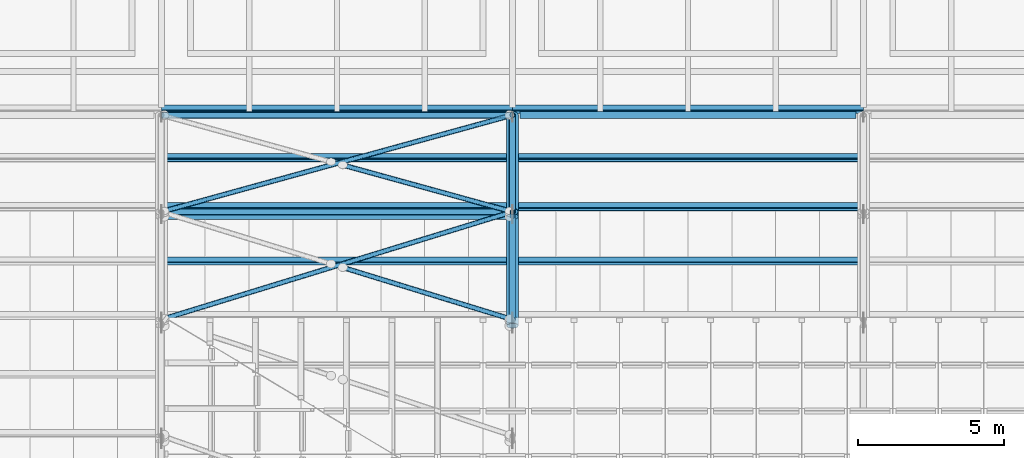
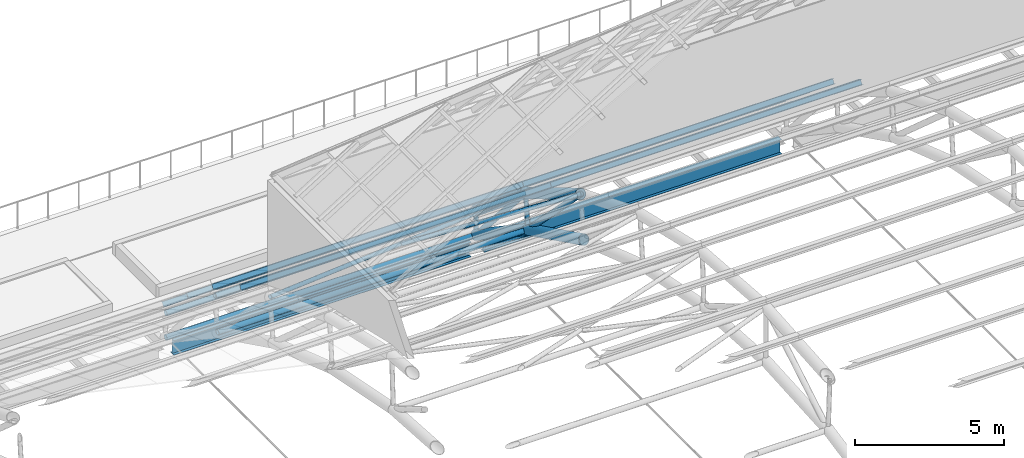
# One storey, part 25 of 110: 24 members, 2 beams.
"""IFC4 building model written with IfcOpenShell, lengths in metres."""

from ifc_helpers import new_model, si_unit, direction, frame, origin, origin_2d, place, context, subcontext, project, spatial, hollow_circle, i_section, extrude, material, material_profile, profile_set, type_object, element, save


model = new_model("IFC4")

# Units and contexts
model_context = context("Model", 3, precision=1e-05, world=origin(), true_north=direction((0.0, 1.0)))
body_context = subcontext(model_context, "Body", "Model", "MODEL_VIEW")
ifc_project = project(units=[si_unit("LENGTHUNIT", "METRE"), si_unit("AREAUNIT", "SQUARE_METRE"), si_unit("VOLUMEUNIT", "CUBIC_METRE"), si_unit("PLANEANGLEUNIT", "RADIAN"), si_unit("MASSUNIT", "GRAM", prefix="KILO")], contexts=[model_context])

# Site, building, storey
site_placement = place(None, origin())
site = spatial("IfcSite", under=ifc_project, at=site_placement, CompositionType="ELEMENT")
building_placement = place(site_placement, origin())
building = spatial("IfcBuilding", under=site, at=building_placement, Name="Windward Yard Aquatics Centre", CompositionType="ELEMENT")
storey_placement = place(building_placement, frame((0.0, 0.0, 22.60009765625)))
storey = spatial("IfcBuildingStorey", under=building, at=storey_placement, Name="L05", CompositionType="ELEMENT", Elevation=22.60009765625)

# Members
ifc_material_1 = material(Name="Steel ASTM A500 Gr C", Category="steel")
ifc_material_profile_1 = material_profile(ifc_material_1, hollow_circle(Radius=0.084228515625, WallThickness=0.010986328125, at=origin_2d()), Name="HSS168.3X11")
ifc_profile_set_1 = profile_set([ifc_material_profile_1], Name="Steel ASTM A500 Gr C")
member_type_1 = type_object("IfcMemberType", Name="H arch post HSS168.3X11", PredefinedType="POST", material=ifc_profile_set_1)
member_1_placement = place(storey_placement, frame((108.0, 76.935302734375, 2.319580078125), z_axis=(0.0, 0.111745510026, 0.993736857015), x_axis=(-1.0, 0.0, 0.0)))
element("IfcMember", 1, at=member_1_placement, inside=storey, type_object=member_type_1, Name="H.AT.5.WP10", PredefinedType="POST", context=body_context, shape_type="SweptSolid", body=[
    extrude(hollow_circle(Radius=0.084228515625, WallThickness=0.010986328125, at=origin_2d()), origin(), (0.0, 0.0, 1.0), 1.406982421875),
])
member_2_placement = place(storey_placement, frame((108.0, 80.39990234375, 0.0), z_axis=(0.0, 0.0, 1.0), x_axis=(1.0, 0.0, 0.0)))
element("IfcMember", 2, at=member_2_placement, inside=storey, type_object=member_type_1, Name="H.AT.5.WP11", PredefinedType="POST", context=body_context, shape_type="SweptSolid", body=[
    extrude(hollow_circle(Radius=0.084228515625, WallThickness=0.010986328125, at=origin_2d()), origin(), (0.0, 0.0, 1.0), 1.0),
])
ifc_material_profile_2 = material_profile(ifc_material_1, hollow_circle(Radius=0.203125, WallThickness=0.015869140625, at=origin_2d()), Name="HSS406.4X15.9")
ifc_profile_set_2 = profile_set([ifc_material_profile_2], Name="Steel ASTM A500 Gr C")
member_type_2 = type_object("IfcMemberType", Name="H arch top chord HSS406.4X15.9", PredefinedType="CHORD", material=ifc_profile_set_2)
member_3_placement = place(storey_placement, frame((108.0, 73.40966796875, 5.900390625), z_axis=(0.0, 0.860273006082, -0.509833654251), x_axis=(-1.0, 0.0, 0.0)))
element("IfcMember", 3, at=member_3_placement, inside=storey, type_object=member_type_2, Name="H.AT.5.TC09", PredefinedType="CHORD", context=body_context, shape_type="SweptSolid", body=[
    extrude(hollow_circle(Radius=0.203125, WallThickness=0.015869140625, at=origin_2d()), origin(), (0.0, 0.0, 1.0), 4.281005859375),
])
member_4_placement = place(storey_placement, frame((108.0, 73.197265625, 4.16650390625), z_axis=(0.0, 0.896536837976, -0.4429691842), x_axis=(-1.0, 0.0, 0.0)))
element("IfcMember", 4, at=member_4_placement, inside=storey, type_object=member_type_2, Name="H.AT.5.BC09", PredefinedType="CHORD", context=body_context, shape_type="SweptSolid", body=[
    extrude(hollow_circle(Radius=0.203125, WallThickness=0.015869140625, at=origin_2d()), origin(), (0.0, 0.0, 1.0), 4.16943359375),
])
member_5_placement = place(storey_placement, frame((108.0, 77.092529296875, 3.7177734375), z_axis=(0.0, 0.772611352747, -0.634879277979), x_axis=(-1.0, 0.0, 0.0)))
element("IfcMember", 5, at=member_5_placement, inside=storey, type_object=member_type_2, Name="H.AT.5.TC10", PredefinedType="CHORD", context=body_context, shape_type="SweptSolid", body=[
    extrude(hollow_circle(Radius=0.203125, WallThickness=0.015869140625, at=origin_2d()), origin(), (0.0, 0.0, 1.0), 4.28076171875),
])
member_6_placement = place(storey_placement, frame((108.0, 76.935302734375, 2.319580078125), z_axis=(0.0, 0.83095865789, -0.556334170151), x_axis=(-1.0, 0.0, 0.0)))
element("IfcMember", 6, at=member_6_placement, inside=storey, type_object=member_type_2, Name="H.AT.5.BC10", PredefinedType="CHORD", context=body_context, shape_type="SweptSolid", body=[
    extrude(hollow_circle(Radius=0.203125, WallThickness=0.015869140625, at=origin_2d()), origin(), (0.0, 0.0, 1.0), 4.16943359375),
])
ifc_material_profile_3 = material_profile(ifc_material_1, hollow_circle(Radius=0.109619140625, WallThickness=0.00830078125, at=origin_2d()), Name="HSS219.1X8.2")
ifc_profile_set_3 = profile_set([ifc_material_profile_3], Name="Steel ASTM A500 Gr C")
member_type_3 = type_object("IfcMemberType", Name="H arch web diagonal HSS219.1X8.2", PredefinedType="BRACE", material=ifc_profile_set_3)
member_7_placement = place(storey_placement, frame((108.0, 73.40966796875, 5.900390625), z_axis=(0.0, 0.701595524129, -0.712575413919), x_axis=(-1.0, 0.0, 0.0)))
element("IfcMember", 7, at=member_7_placement, inside=storey, type_object=member_type_3, Name="H.AT.5.WD09", PredefinedType="BRACE", context=body_context, shape_type="SweptSolid", body=[
    extrude(hollow_circle(Radius=0.109619140625, WallThickness=0.00830078125, at=origin_2d()), origin(), (0.0, 0.0, 1.0), 5.025146484375),
])
member_8_placement = place(storey_placement, frame((108.0, 77.092529296875, 3.7177734375), z_axis=(0.0, 0.664665272452, -0.747141268835), x_axis=(-1.0, 0.0, 0.0)))
element("IfcMember", 8, at=member_8_placement, inside=storey, type_object=member_type_3, Name="H.AT.5.WD10", PredefinedType="BRACE", context=body_context, shape_type="SweptSolid", body=[
    extrude(hollow_circle(Radius=0.109619140625, WallThickness=0.00830078125, at=origin_2d()), origin(), (0.0, 0.0, 1.0), 4.97607421875),
])

# Beams
ifc_material_2 = material(Name="Steel ASTM A992 Gr 50", Category="steel")
ifc_material_profile_4 = material_profile(ifc_material_2, i_section(OverallWidth=0.22802734375, OverallDepth=0.60205078125, WebThickness=0.010498046875, FlangeThickness=0.014892578125, at=origin_2d()), Name="W610X101")
ifc_profile_set_4 = profile_set([ifc_material_profile_4], Name="Steel ASTM A992 Gr 50")
beam_type = type_object("IfcBeamType", Name="H eave girder W610X101", PredefinedType="BEAM", material=ifc_profile_set_4)
for number, where, z_axis, x_axis, name in (
    (9, (96.25390625, 80.39990234375, -0.451171875), (1.0, 0.0, 0.0), (0.0, 1.0, 0.0), "H.EG.N4"),
    (10, (108.25390625, 80.39990234375, -0.451171875), (1.0, 0.0, 0.0), (0.0, 1.0, 0.0), "H.EG.N5"),
):
    element("IfcBeam", number, at=place(storey_placement, frame(where, z_axis=z_axis, x_axis=x_axis)), inside=storey, type_object=beam_type, Name=name, PredefinedType="BEAM", context=body_context, shape_type="SweptSolid", body=[
        extrude(i_section(OverallWidth=0.22802734375, OverallDepth=0.60205078125, WebThickness=0.010498046875, FlangeThickness=0.014892578125, at=origin_2d()), origin(), (0.0, 0.0, 1.0), 11.4921875),
    ])

# Members
ifc_material_profile_5 = material_profile(ifc_material_1, hollow_circle(Radius=0.084228515625, WallThickness=0.007080078125, at=origin_2d()), Name="HSS168.3X7.1")
ifc_profile_set_5 = profile_set([ifc_material_profile_5], Name="Steel ASTM A500 Gr C")
member_type_4 = type_object("IfcMemberType", Name="H roof brace HSS168.3X7.1", PredefinedType="BRACE", material=ifc_profile_set_5)
member_9_placement = place(storey_placement, frame((96.0, 73.40966796875, 5.900390625), z_axis=(0.941858113102, 0.289061068444, -0.171309642154), x_axis=(-0.293398305701, 0.955990289811, 0.0)))
element("IfcMember", 11, at=member_9_placement, inside=storey, type_object=member_type_4, Name="H.RB.4.T09A", PredefinedType="BRACE", context=body_context, shape_type="SweptSolid", body=[
    extrude(hollow_circle(Radius=0.084228515625, WallThickness=0.007080078125, at=origin_2d()), origin(), (0.0, 0.0, 1.0), 12.74072265625),
])
member_10_placement = place(storey_placement, frame((102.1064453125, 75.218505859375, 4.828369140625), z_axis=(0.941852913736, -0.28907159229, 0.171320469934), x_axis=(0.293409548172, 0.955986839366, 0.0)))
element("IfcMember", 12, at=member_10_placement, inside=storey, type_object=member_type_4, Name="H.RB.4.T09B2", PredefinedType="BRACE", context=body_context, shape_type="SweptSolid", body=[
    extrude(hollow_circle(Radius=0.084228515625, WallThickness=0.007080078125, at=origin_2d()), origin(), (0.0, 0.0, 1.0), 6.25732421875),
])
member_11_placement = place(storey_placement, frame((96.0, 77.092529296875, 3.7177734375), z_axis=(0.941864717314, 0.259591498321, -0.21331457587), x_axis=(-0.265707128431, 0.964053796165, 0.0)))
element("IfcMember", 13, at=member_11_placement, inside=storey, type_object=member_type_4, Name="H.RB.4.T10A", PredefinedType="BRACE", context=body_context, shape_type="SweptSolid", body=[
    extrude(hollow_circle(Radius=0.084228515625, WallThickness=0.007080078125, at=origin_2d()), origin(), (0.0, 0.0, 1.0), 12.74072265625),
])
member_12_placement = place(storey_placement, frame((102.1064453125, 78.716796875, 2.383056640625), z_axis=(0.941869878375, -0.259579962752, 0.213305825397), x_axis=(0.265694801521, 0.964057193555, 0.0)))
element("IfcMember", 14, at=member_12_placement, inside=storey, type_object=member_type_4, Name="H.RB.4.T10B2", PredefinedType="BRACE", context=body_context, shape_type="SweptSolid", body=[
    extrude(hollow_circle(Radius=0.084228515625, WallThickness=0.007080078125, at=origin_2d()), origin(), (0.0, 0.0, 1.0), 6.25732421875),
])
ifc_material_profile_6 = material_profile(ifc_material_2, i_section(OverallWidth=0.202880859375, OverallDepth=0.202880859375, WebThickness=0.00732421875, FlangeThickness=0.010986328125, at=origin_2d()), Name="W200X46.1")
ifc_profile_set_6 = profile_set([ifc_material_profile_6], Name="Steel ASTM A992 Gr 50")
member_type_5 = type_object("IfcMemberType", Name="H roof purlin W200X46.1", PredefinedType="PURLIN", material=ifc_profile_set_6)
for number, where, z_axis, x_axis, name in (
    (15, (96.0, 75.406494140625, 5.0712890625), (1.0, 0.0, 0.0), (0.0, 0.860270260664, -0.509838286732), "H.PU.4.18"),
    (16, (96.0, 77.267333984375, 3.96728515625), (1.0, 0.0, 0.0), (0.0, 0.818830898872, -0.574034806481), "H.PU.4.19"),
    (17, (96.0, 78.939697265625, 2.59423828125), (1.0, 0.0, 0.0), (0.0, 0.772610863417, -0.634879873464), "H.PU.4.20"),
    (18, (96.0, 80.593505859375, 1.2353515625), (1.0, 0.0, 0.0), (0.0, 0.772610863417, -0.634879873464), "H.PU.4.21"),
    (19, (108.0, 75.406494140625, 5.0712890625), (1.0, 0.0, 0.0), (0.0, 0.860270260664, -0.509838286732), "H.PU.5.18"),
    (20, (108.0, 77.267333984375, 3.96728515625), (1.0, 0.0, 0.0), (0.0, 0.818830898872, -0.574034806481), "H.PU.5.19"),
    (21, (108.0, 78.939697265625, 2.59423828125), (1.0, 0.0, 0.0), (0.0, 0.772610863417, -0.634879873464), "H.PU.5.20"),
    (22, (108.0, 80.593505859375, 1.2353515625), (1.0, 0.0, 0.0), (0.0, 0.772610863417, -0.634879873464), "H.PU.5.21"),
):
    element("IfcMember", number, at=place(storey_placement, frame(where, z_axis=z_axis, x_axis=x_axis)), inside=storey, type_object=member_type_5, Name=name, PredefinedType="PURLIN", context=body_context, shape_type="SweptSolid", body=[
        extrude(i_section(OverallWidth=0.202880859375, OverallDepth=0.202880859375, WebThickness=0.00732421875, FlangeThickness=0.010986328125, at=origin_2d()), origin(), (0.0, 0.0, 1.0), 12.0),
    ])
ifc_material_profile_7 = material_profile(ifc_material_1, hollow_circle(Radius=0.109619140625, WallThickness=0.00830078125, at=origin_2d()), Name="HSS219.1X8.2")
ifc_profile_set_7 = profile_set([ifc_material_profile_7], Name="Steel ASTM A500 Gr C")
member_type_6 = type_object("IfcMemberType", Name="H roof strut HSS219.1X8.2", PredefinedType="STRUT", material=ifc_profile_set_7)
for number, where, z_axis, x_axis, name in (
    (23, (96.0, 77.092529296875, 3.7177734375), (1.0, 0.0, 0.0), (0.0, 1.0, 0.0), "H.RS.4.T10"),
    (24, (96.0, 80.39990234375, 1.0), (1.0, 0.0, 0.0), (0.0, 1.0, 0.0), "H.RS.4.T11"),
    (25, (96.0, 76.935302734375, 2.319580078125), (1.0, 0.0, 0.0), (0.0, 1.0, 0.0), "H.RS.4.B10"),
    (26, (96.0, 80.39990234375, 0.0), (1.0, 0.0, 0.0), (0.0, 1.0, 0.0), "H.RS.4.B11"),
):
    element("IfcMember", number, at=place(storey_placement, frame(where, z_axis=z_axis, x_axis=x_axis)), inside=storey, type_object=member_type_6, Name=name, PredefinedType="STRUT", context=body_context, shape_type="SweptSolid", body=[
        extrude(hollow_circle(Radius=0.109619140625, WallThickness=0.00830078125, at=origin_2d()), origin(), (0.0, 0.0, 1.0), 12.0),
    ])

save(model, "model.ifc")
